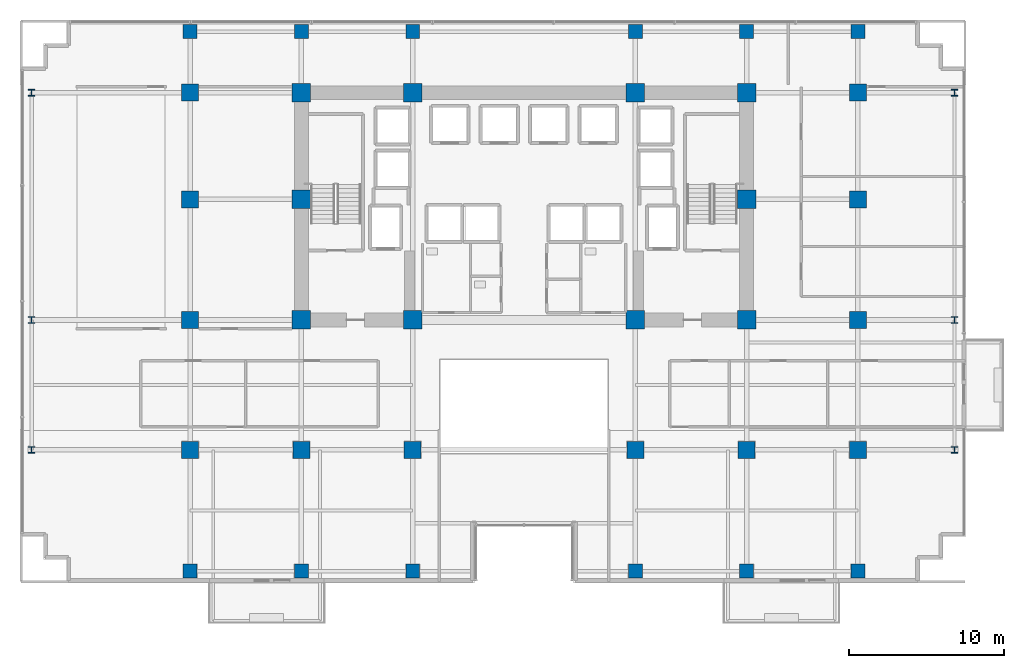
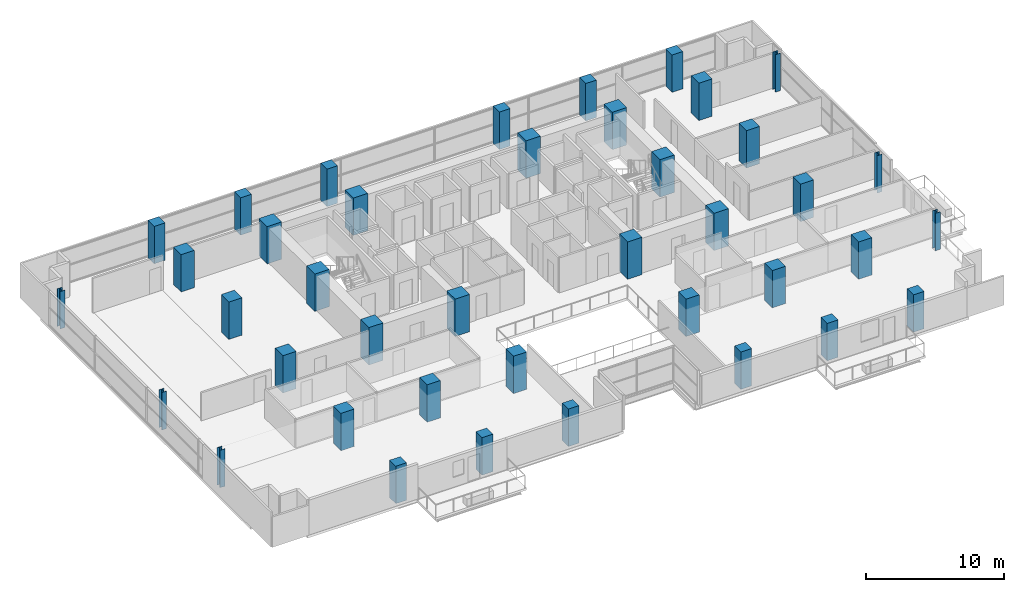
# One storey, part 1 of 30: 40 columns.
"""IFC4 building model written with IfcOpenShell, lengths in metres."""

from ifc_helpers import new_model, si_unit, direction, frame, origin, origin_2d, place, context, subcontext, project, spatial, rectangle, i_section, extrude, material, material_profile, profile_set, type_object, element, save


model = new_model("IFC4")

# Units and contexts
model_context = context("Model", 3, precision=1e-05, world=origin(), true_north=direction((0.0, 1.0)))
body_context = subcontext(model_context, "Body", "Model", "MODEL_VIEW")
ifc_project = project(units=[si_unit("LENGTHUNIT", "METRE"), si_unit("AREAUNIT", "SQUARE_METRE"), si_unit("VOLUMEUNIT", "CUBIC_METRE"), si_unit("PLANEANGLEUNIT", "RADIAN"), si_unit("MASSUNIT", "GRAM", prefix="KILO")], contexts=[model_context])

# Site, building, storey
site_placement = place(None, origin())
site = spatial("IfcSite", under=ifc_project, at=site_placement, CompositionType="ELEMENT")
building_placement = place(site_placement, origin())
building = spatial("IfcBuilding", under=site, at=building_placement, Name="Zarnakvel Exchange Tower", CompositionType="ELEMENT")
storey_placement = place(building_placement, frame((0.0, 0.0, 50.5)))
storey = spatial("IfcBuildingStorey", under=building, at=storey_placement, Name="L13", CompositionType="ELEMENT", Elevation=50.5)

# Columns
ifc_material_1 = material(Name="Concrete C80/95", Category="concrete")
ifc_material_profile_1 = material_profile(ifc_material_1, rectangle(XDim=1.199951171875, YDim=1.199951171875, at=origin_2d()))
ifc_profile_set_1 = profile_set([ifc_material_profile_1], Name="Concrete C80/95")
column_type_1 = type_object("IfcColumnType", Name="CC-01", PredefinedType="COLUMN", material=ifc_profile_set_1)
for number, where, z_axis, x_axis, name in (
    (1, (-14.39990234375, -1.199951171875, 0.0), (0.0, 0.0, 1.0), (1.0, 0.0, 0.0), "L13 Column C-4D (CC-01)"),
    (2, (-7.199951171875, -1.199951171875, 0.0), (0.0, 0.0, 1.0), (1.0, 0.0, 0.0), "L13 Column C-5D (CC-01)"),
    (3, (7.199951171875, -1.199951171875, 0.0), (0.0, 0.0, 1.0), (1.0, 0.0, 0.0), "L13 Column C-8D (CC-01)"),
    (4, (14.39990234375, -1.199951171875, 0.0), (0.0, 0.0, 1.0), (1.0, 0.0, 0.0), "L13 Column C-9D (CC-01)"),
    (5, (-14.39990234375, 6.60009765625, 0.0), (0.0, 0.0, 1.0), (1.0, 0.0, 0.0), "L13 Column C-4E (CC-01)"),
    (6, (14.39990234375, 6.60009765625, 0.0), (0.0, 0.0, 1.0), (1.0, 0.0, 0.0), "L13 Column C-9E (CC-01)"),
    (7, (-14.39990234375, 13.5, 0.0), (0.0, 0.0, 1.0), (1.0, 0.0, 0.0), "L13 Column C-4F (CC-01)"),
    (8, (-7.199951171875, 13.5, 0.0), (0.0, 0.0, 1.0), (1.0, 0.0, 0.0), "L13 Column C-5F (CC-01)"),
    (9, (7.199951171875, 13.5, 0.0), (0.0, 0.0, 1.0), (1.0, 0.0, 0.0), "L13 Column C-8F (CC-01)"),
    (10, (14.39990234375, 13.5, 0.0), (0.0, 0.0, 1.0), (1.0, 0.0, 0.0), "L13 Column C-9F (CC-01)"),
):
    element("IfcColumn", number, at=place(storey_placement, frame(where, z_axis=z_axis, x_axis=x_axis)), inside=storey, type_object=column_type_1, Name=name, PredefinedType="COLUMN", context=body_context, shape_type="SweptSolid", body=[
        extrude(rectangle(XDim=1.199951171875, YDim=1.199951171875, at=origin_2d()), origin(), (0.0, 0.0, 1.0), 3.300048828125),
    ])
ifc_material_2 = material(Name="Steel S355", Category="steel")
ifc_material_profile_2 = material_profile(ifc_material_2, i_section(OverallWidth=0.412109375, OverallDepth=0.425048828125, WebThickness=0.02587890625, FlangeThickness=0.0390625, FilletRadius=0.014892578125, at=origin_2d()))
ifc_profile_set_2 = profile_set([ifc_material_profile_2], Name="Steel S355")
column_type_2 = type_object("IfcColumnType", Name="SC-01", PredefinedType="COLUMN", material=ifc_profile_set_2)
for number, where, z_axis, x_axis, name in (
    (11, (-31.85009765625, -9.60009765625, 0.0), (0.0, 0.0, 1.0), (1.0, 0.0, 0.0), "L13 Column TW-C (SC-01)"),
    (12, (27.85009765625, -9.60009765625, 0.0), (0.0, 0.0, 1.0), (1.0, 0.0, 0.0), "L13 Column TE-C (SC-01)"),
    (13, (-31.85009765625, -1.199951171875, 0.0), (0.0, 0.0, 1.0), (1.0, 0.0, 0.0), "L13 Column TW-D (SC-01)"),
    (14, (27.85009765625, -1.199951171875, 0.0), (0.0, 0.0, 1.0), (1.0, 0.0, 0.0), "L13 Column TE-D (SC-01)"),
    (15, (-31.85009765625, 13.5, 0.0), (0.0, 0.0, 1.0), (1.0, 0.0, 0.0), "L13 Column TW-F (SC-01)"),
    (16, (27.85009765625, 13.5, 0.0), (0.0, 0.0, 1.0), (1.0, 0.0, 0.0), "L13 Column TE-F (SC-01)"),
):
    element("IfcColumn", number, at=place(storey_placement, frame(where, z_axis=z_axis, x_axis=x_axis)), inside=storey, type_object=column_type_2, Name=name, PredefinedType="COLUMN", context=body_context, shape_type="SweptSolid", body=[
        extrude(i_section(OverallWidth=0.412109375, OverallDepth=0.425048828125, WebThickness=0.02587890625, FlangeThickness=0.0390625, FilletRadius=0.014892578125, at=origin_2d()), origin(), (0.0, 0.0, 1.0), 3.300048828125),
    ])
ifc_material_profile_3 = material_profile(ifc_material_1, rectangle(XDim=1.10009765625, YDim=1.10009765625, at=origin_2d()))
ifc_profile_set_3 = profile_set([ifc_material_profile_3], Name="Concrete C80/95")
column_type_3 = type_object("IfcColumnType", Name="TC-01", PredefinedType="COLUMN", material=ifc_profile_set_3)
for number, where, z_axis, x_axis, name in (
    (17, (-14.39990234375, -9.60009765625, 0.0), (0.0, 0.0, 1.0), (1.0, 0.0, 0.0), "L13 Column T-4C (TC-01)"),
    (18, (-7.199951171875, -9.60009765625, 0.0), (0.0, 0.0, 1.0), (1.0, 0.0, 0.0), "L13 Column T-5C (TC-01)"),
    (19, (7.199951171875, -9.60009765625, 0.0), (0.0, 0.0, 1.0), (1.0, 0.0, 0.0), "L13 Column T-8C (TC-01)"),
    (20, (14.39990234375, -9.60009765625, 0.0), (0.0, 0.0, 1.0), (1.0, 0.0, 0.0), "L13 Column T-9C (TC-01)"),
    (21, (-21.60009765625, -9.60009765625, 0.0), (0.0, 0.0, 1.0), (1.0, 0.0, 0.0), "L13 Column T-3C (TC-01)"),
    (22, (-21.60009765625, -1.199951171875, 0.0), (0.0, 0.0, 1.0), (1.0, 0.0, 0.0), "L13 Column T-3D (TC-01)"),
    (23, (-21.60009765625, 6.60009765625, 0.0), (0.0, 0.0, 1.0), (1.0, 0.0, 0.0), "L13 Column T-3E (TC-01)"),
    (24, (-21.60009765625, 13.5, 0.0), (0.0, 0.0, 1.0), (1.0, 0.0, 0.0), "L13 Column T-3F (TC-01)"),
    (25, (21.60009765625, -9.60009765625, 0.0), (0.0, 0.0, 1.0), (1.0, 0.0, 0.0), "L13 Column T-10C (TC-01)"),
    (26, (21.60009765625, -1.199951171875, 0.0), (0.0, 0.0, 1.0), (1.0, 0.0, 0.0), "L13 Column T-10D (TC-01)"),
    (27, (21.60009765625, 6.60009765625, 0.0), (0.0, 0.0, 1.0), (1.0, 0.0, 0.0), "L13 Column T-10E (TC-01)"),
    (28, (21.60009765625, 13.5, 0.0), (0.0, 0.0, 1.0), (1.0, 0.0, 0.0), "L13 Column T-10F (TC-01)"),
):
    element("IfcColumn", number, at=place(storey_placement, frame(where, z_axis=z_axis, x_axis=x_axis)), inside=storey, type_object=column_type_3, Name=name, PredefinedType="COLUMN", context=body_context, shape_type="SweptSolid", body=[
        extrude(rectangle(XDim=1.10009765625, YDim=1.10009765625, at=origin_2d()), origin(), (0.0, 0.0, 1.0), 3.300048828125),
    ])
ifc_material_3 = material(Name="Concrete C60/75", Category="concrete")
ifc_material_profile_4 = material_profile(ifc_material_3, rectangle(XDim=0.89990234375, YDim=0.89990234375, at=origin_2d()))
ifc_profile_set_4 = profile_set([ifc_material_profile_4], Name="Concrete C60/75")
column_type_4 = type_object("IfcColumnType", Name="TC-02", PredefinedType="COLUMN", material=ifc_profile_set_4)
for number, where, z_axis, x_axis, name in (
    (29, (-14.39990234375, -17.449951171875, 0.0), (0.0, 0.0, 1.0), (1.0, 0.0, 0.0), "L13 Column TS-4 (TC-02)"),
    (30, (-14.39990234375, 17.449951171875, 0.0), (0.0, 0.0, 1.0), (1.0, 0.0, 0.0), "L13 Column TN-4 (TC-02)"),
    (31, (-7.199951171875, -17.449951171875, 0.0), (0.0, 0.0, 1.0), (1.0, 0.0, 0.0), "L13 Column TS-5 (TC-02)"),
    (32, (-7.199951171875, 17.449951171875, 0.0), (0.0, 0.0, 1.0), (1.0, 0.0, 0.0), "L13 Column TN-5 (TC-02)"),
    (33, (7.199951171875, -17.449951171875, 0.0), (0.0, 0.0, 1.0), (1.0, 0.0, 0.0), "L13 Column TS-8 (TC-02)"),
    (34, (7.199951171875, 17.449951171875, 0.0), (0.0, 0.0, 1.0), (1.0, 0.0, 0.0), "L13 Column TN-8 (TC-02)"),
    (35, (14.39990234375, -17.449951171875, 0.0), (0.0, 0.0, 1.0), (1.0, 0.0, 0.0), "L13 Column TS-9 (TC-02)"),
    (36, (14.39990234375, 17.449951171875, 0.0), (0.0, 0.0, 1.0), (1.0, 0.0, 0.0), "L13 Column TN-9 (TC-02)"),
    (37, (-21.60009765625, -17.449951171875, 0.0), (0.0, 0.0, 1.0), (1.0, 0.0, 0.0), "L13 Column TS-3 (TC-02)"),
    (38, (-21.60009765625, 17.449951171875, 0.0), (0.0, 0.0, 1.0), (1.0, 0.0, 0.0), "L13 Column TN-3 (TC-02)"),
    (39, (21.60009765625, -17.449951171875, 0.0), (0.0, 0.0, 1.0), (1.0, 0.0, 0.0), "L13 Column TS-10 (TC-02)"),
    (40, (21.60009765625, 17.449951171875, 0.0), (0.0, 0.0, 1.0), (1.0, 0.0, 0.0), "L13 Column TN-10 (TC-02)"),
):
    element("IfcColumn", number, at=place(storey_placement, frame(where, z_axis=z_axis, x_axis=x_axis)), inside=storey, type_object=column_type_4, Name=name, PredefinedType="COLUMN", context=body_context, shape_type="SweptSolid", body=[
        extrude(rectangle(XDim=0.89990234375, YDim=0.89990234375, at=origin_2d()), origin(), (0.0, 0.0, 1.0), 3.300048828125),
    ])

save(model, "model.ifc")
